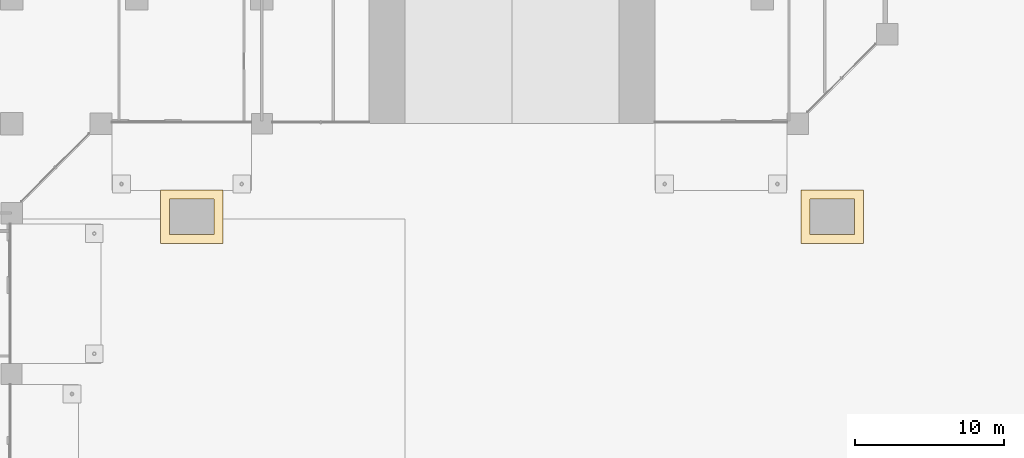
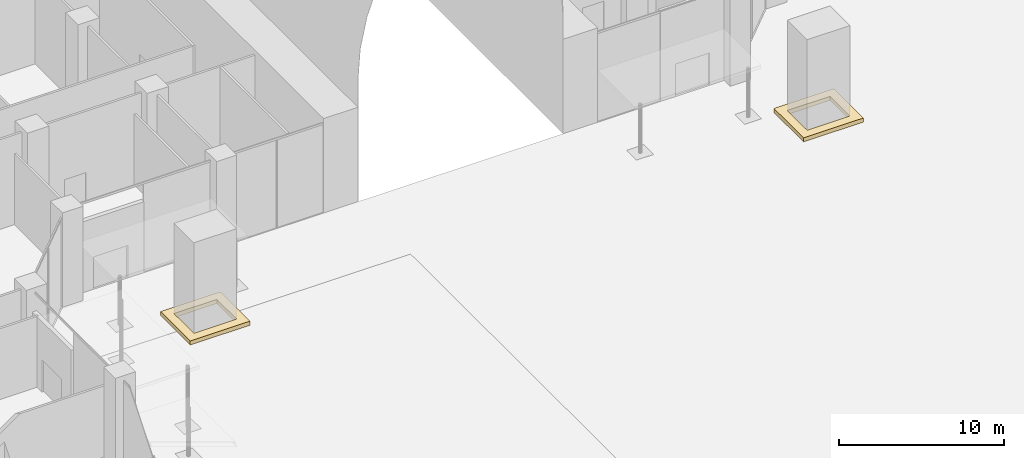
# One storey, part 27 of 32: 2 coverings.
"""IFC4 building model written with IfcOpenShell, lengths in metres."""

from ifc_helpers import new_model, si_unit, direction, origin, place, context, subcontext, project, spatial, polyline, outline, extrude, material, layer, layer_set, type_object, element, save


model = new_model("IFC4")

# Units and contexts
model_context = context("Model", 3, precision=1e-05, world=origin(), true_north=direction((0.0, 1.0)))
body_context = subcontext(model_context, "Body", "Model", "MODEL_VIEW")
ifc_project = project(units=[si_unit("LENGTHUNIT", "METRE"), si_unit("AREAUNIT", "SQUARE_METRE"), si_unit("VOLUMEUNIT", "CUBIC_METRE"), si_unit("PLANEANGLEUNIT", "RADIAN"), si_unit("MASSUNIT", "GRAM", prefix="KILO")], contexts=[model_context])

# Site, building, storey
site_placement = place(None, origin())
site = spatial("IfcSite", under=ifc_project, at=site_placement, CompositionType="ELEMENT")
building_placement = place(site_placement, origin())
building = spatial("IfcBuilding", under=site, at=building_placement, Name="Kawkab Arch Medical Tower", CompositionType="ELEMENT")
storey_placement = place(building_placement, origin())
storey = spatial("IfcBuildingStorey", under=building, at=storey_placement, Name="L01", CompositionType="ELEMENT", Elevation=0.0)

# Coverings
ifc_material = material(Name="Polished granite plinth", Category="masonry")
ifc_layer = layer(ifc_material, 0.300048828125)
ifc_layer_set = layer_set([ifc_layer], Name="Polished granite plinth")
covering_type = type_object("IfcCoveringType", Name="Granite plinth ring 300", PredefinedType="USERDEFINED", material=ifc_layer_set)
placement = place(storey_placement, origin())
element("IfcCovering", 1, at=placement, inside=storey, type_object=covering_type, Name="Portal arch plinth SW", ObjectType="PLINTH", PredefinedType="USERDEFINED", context=body_context, shape_type="SweptSolid", body=[
    extrude(outline(polyline([(43.60009765625, -41.64990234375), (47.800048828125, -41.64990234375), (47.800048828125, -38.050048828125), (43.60009765625, -38.050048828125), (43.60009765625, -41.64990234375)]), holes=[polyline([(47.199951171875, -41.050048828125), (44.199951171875, -41.050048828125), (44.199951171875, -38.64990234375), (47.199951171875, -38.64990234375), (47.199951171875, -41.050048828125)])]), origin(), (0.0, 0.0, 1.0), 0.300048828125),
])
element("IfcCovering", 2, at=placement, inside=storey, type_object=covering_type, Name="Portal arch plinth SE", ObjectType="PLINTH", PredefinedType="USERDEFINED", context=body_context, shape_type="SweptSolid", body=[
    extrude(outline(polyline([(86.60009765625, -41.64990234375), (90.800048828125, -41.64990234375), (90.800048828125, -38.050048828125), (86.60009765625, -38.050048828125), (86.60009765625, -41.64990234375)]), holes=[polyline([(90.199951171875, -41.050048828125), (87.199951171875, -41.050048828125), (87.199951171875, -38.64990234375), (90.199951171875, -38.64990234375), (90.199951171875, -41.050048828125)])]), origin(), (0.0, 0.0, 1.0), 0.300048828125),
])

save(model, "model.ifc")
